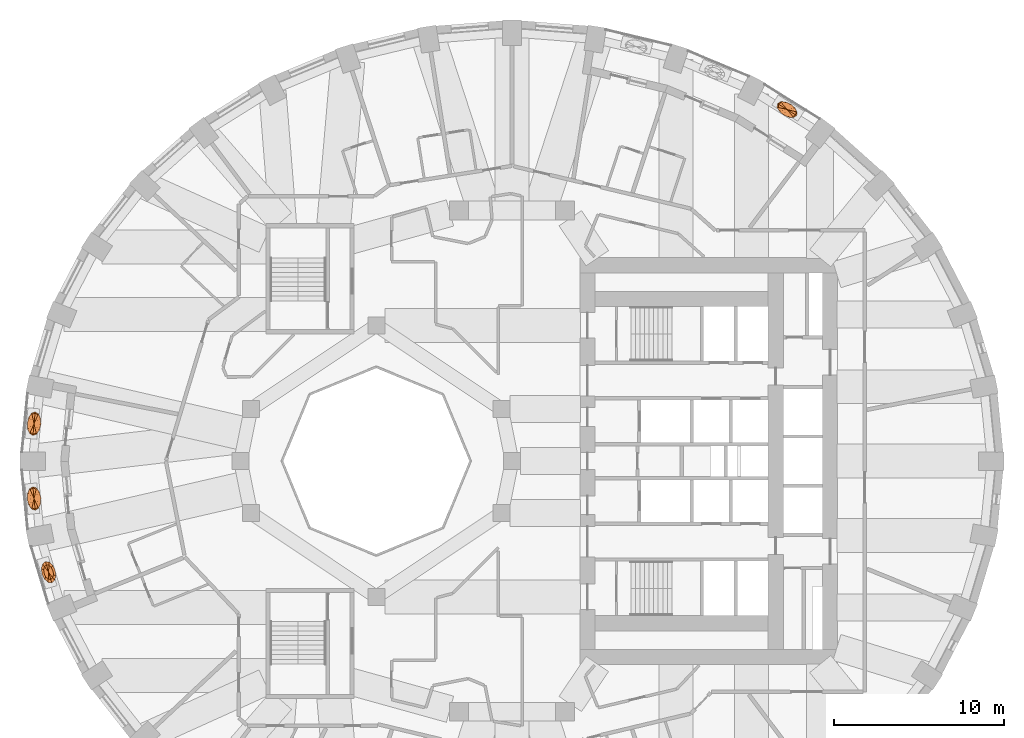
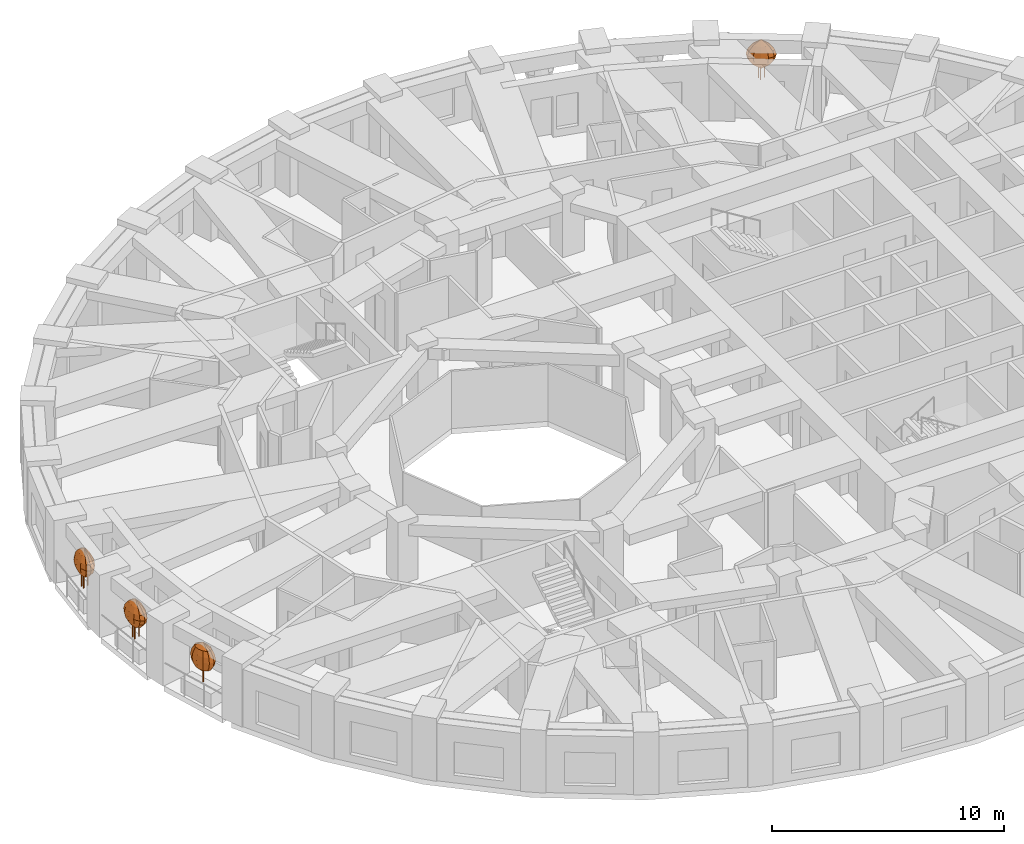
# One storey, part 13 of 14: 4 geographic elements.
"""IFC4 building model written with IfcOpenShell, lengths in metres."""

from ifc_helpers import new_model, si_unit, direction, frame, origin, place, context, subcontext, project, spatial, faceted_brep, material, constituent, constituent_set, type_object, element, save


model = new_model("IFC4")

# Units and contexts
model_context = context("Model", 3, precision=1e-05, world=origin(), true_north=direction((0.0, 1.0)))
body_context = subcontext(model_context, "Body", "Model", "MODEL_VIEW")
ifc_project = project(units=[si_unit("LENGTHUNIT", "METRE"), si_unit("AREAUNIT", "SQUARE_METRE"), si_unit("VOLUMEUNIT", "CUBIC_METRE"), si_unit("PLANEANGLEUNIT", "RADIAN"), si_unit("MASSUNIT", "GRAM", prefix="KILO")], contexts=[model_context])

# Site, building, storey
site_placement = place(None, origin())
site = spatial("IfcSite", under=ifc_project, at=site_placement, CompositionType="ELEMENT")
building_placement = place(site_placement, origin())
building = spatial("IfcBuilding", under=site, at=building_placement, Name="Taillehof Tower", CompositionType="ELEMENT")
storey_placement = place(building_placement, frame((0.0, 0.0, 28.300048828125)))
storey = spatial("IfcBuildingStorey", under=building, at=storey_placement, Name="L06", CompositionType="ELEMENT", Elevation=28.300048828125)

# Geographic elements
ifc_material_1 = material(Name="Tree bark", Category="timber")
ifc_constituent_1 = constituent(ifc_material_1, Name="Trunk", Category="timber")
ifc_material_2 = material(Name="Tree foliage")
ifc_constituent_2 = constituent(ifc_material_2, Name="Crown")
ifc_constituent_set_1 = constituent_set(constituents=[ifc_constituent_1, ifc_constituent_2], Name="Tree TR1 Columnar hornbeam")
geographic_element_type_1 = type_object("IfcGeographicElementType", Name="Tree TR1 Columnar hornbeam", PredefinedType="USERDEFINED", material=ifc_constituent_set_1)
geographic_element_1_placement = place(storey_placement, frame((-27.314697265625, -6.548583984375, 0.75)))
element("IfcGeographicElement", 1, at=geographic_element_1_placement, inside=storey, type_object=geographic_element_type_1, Name="Tree TR1 Columnar hornbeam", ObjectType="TREE", PredefinedType="USERDEFINED", context=body_context, shape_type="Brep", body=[
    faceted_brep([(0.030029296875, 0.0, 0.0), (0.021240234375, 0.021240234375, 0.0), (0.021240234375, 0.021240234375, 1.092529296875), (0.030029296875, 0.0, 1.092529296875), (0.0, 0.030029296875, 0.0), (0.0, 0.030029296875, 1.092529296875), (-0.021240234375, 0.021240234375, 0.0), (-0.021240234375, 0.021240234375, 1.092529296875), (-0.030029296875, 0.0, 0.0), (-0.030029296875, 0.0, 1.092529296875), (-0.021240234375, -0.021240234375, 0.0), (-0.021240234375, -0.021240234375, 1.092529296875), (0.0, -0.030029296875, 0.0), (0.0, -0.030029296875, 1.092529296875), (0.021240234375, -0.021240234375, 0.0), (0.021240234375, -0.021240234375, 1.092529296875)], [[[0, 1, 2, 3]], [[1, 4, 5, 2]], [[4, 6, 7, 5]], [[6, 8, 9, 7]], [[8, 10, 11, 9]], [[10, 12, 13, 11]], [[12, 14, 15, 13]], [[14, 0, 3, 15]], [[14, 12, 10, 8, 6, 4, 1, 0]], [[3, 2, 5, 7, 9, 11, 13, 15]]]),
    faceted_brep([(0.0, 0.0, 0.550048828125), (0.2412109375, -0.3291015625, 0.808349609375), (0.12744140625, -0.42529296875, 0.808349609375), (0.290283203125, -0.144775390625, 0.808349609375), (0.26171875, 0.078369140625, 0.808349609375), (0.162841796875, 0.280517578125, 0.808349609375), (0.0205078125, 0.407470703125, 0.808349609375), (-0.12744140625, 0.42529296875, 0.808349609375), (-0.2412109375, 0.3291015625, 0.808349609375), (-0.290283203125, 0.144775390625, 0.808349609375), (-0.26171875, -0.078369140625, 0.808349609375), (-0.162841796875, -0.280517578125, 0.808349609375), (-0.0205078125, -0.407470703125, 0.808349609375), (0.326416015625, -0.445068359375, 1.066650390625), (0.17236328125, -0.5751953125, 1.066650390625), (0.392822265625, -0.19580078125, 1.066650390625), (0.35400390625, 0.106201171875, 1.066650390625), (0.220458984375, 0.379638671875, 1.066650390625), (0.027587890625, 0.55126953125, 1.066650390625), (-0.17236328125, 0.5751953125, 1.066650390625), (-0.326416015625, 0.445068359375, 1.066650390625), (-0.392822265625, 0.19580078125, 1.066650390625), (-0.35400390625, -0.106201171875, 1.066650390625), (-0.220458984375, -0.379638671875, 1.066650390625), (-0.027587890625, -0.55126953125, 1.066650390625), (0.353271484375, -0.481689453125, 1.324951171875), (0.1865234375, -0.62255859375, 1.324951171875), (0.425048828125, -0.2119140625, 1.324951171875), (0.383056640625, 0.11474609375, 1.324951171875), (0.238525390625, 0.410888671875, 1.324951171875), (0.030029296875, 0.5966796875, 1.324951171875), (-0.1865234375, 0.62255859375, 1.324951171875), (-0.353271484375, 0.481689453125, 1.324951171875), (-0.425048828125, 0.2119140625, 1.324951171875), (-0.383056640625, -0.11474609375, 1.324951171875), (-0.238525390625, -0.410888671875, 1.324951171875), (-0.030029296875, -0.5966796875, 1.324951171875), (0.326416015625, -0.445068359375, 1.583251953125), (0.17236328125, -0.5751953125, 1.583251953125), (0.392822265625, -0.19580078125, 1.583251953125), (0.35400390625, 0.106201171875, 1.583251953125), (0.220458984375, 0.379638671875, 1.583251953125), (0.027587890625, 0.55126953125, 1.583251953125), (-0.17236328125, 0.5751953125, 1.583251953125), (-0.326416015625, 0.445068359375, 1.583251953125), (-0.392822265625, 0.19580078125, 1.583251953125), (-0.35400390625, -0.106201171875, 1.583251953125), (-0.220458984375, -0.379638671875, 1.583251953125), (-0.027587890625, -0.55126953125, 1.583251953125), (0.2412109375, -0.3291015625, 1.841552734375), (0.12744140625, -0.42529296875, 1.841552734375), (0.290283203125, -0.144775390625, 1.841552734375), (0.26171875, 0.078369140625, 1.841552734375), (0.162841796875, 0.280517578125, 1.841552734375), (0.0205078125, 0.407470703125, 1.841552734375), (-0.12744140625, 0.42529296875, 1.841552734375), (-0.2412109375, 0.3291015625, 1.841552734375), (-0.290283203125, 0.144775390625, 1.841552734375), (-0.26171875, -0.078369140625, 1.841552734375), (-0.162841796875, -0.280517578125, 1.841552734375), (-0.0205078125, -0.407470703125, 1.841552734375), (0.0, 0.0, 2.10009765625)], [[[0, 1, 2]], [[0, 3, 1]], [[0, 4, 3]], [[0, 5, 4]], [[0, 6, 5]], [[0, 7, 6]], [[0, 8, 7]], [[0, 9, 8]], [[0, 10, 9]], [[0, 11, 10]], [[0, 12, 11]], [[0, 2, 12]], [[2, 1, 13, 14]], [[1, 3, 15, 13]], [[3, 4, 16, 15]], [[4, 5, 17, 16]], [[5, 6, 18, 17]], [[6, 7, 19, 18]], [[7, 8, 20, 19]], [[8, 9, 21, 20]], [[9, 10, 22, 21]], [[10, 11, 23, 22]], [[11, 12, 24, 23]], [[12, 2, 14, 24]], [[14, 13, 25, 26]], [[13, 15, 27, 25]], [[15, 16, 28, 27]], [[16, 17, 29, 28]], [[17, 18, 30, 29]], [[18, 19, 31, 30]], [[19, 20, 32, 31]], [[20, 21, 33, 32]], [[21, 22, 34, 33]], [[22, 23, 35, 34]], [[23, 24, 36, 35]], [[24, 14, 26, 36]], [[26, 25, 37, 38]], [[25, 27, 39, 37]], [[27, 28, 40, 39]], [[28, 29, 41, 40]], [[29, 30, 42, 41]], [[30, 31, 43, 42]], [[31, 32, 44, 43]], [[32, 33, 45, 44]], [[33, 34, 46, 45]], [[34, 35, 47, 46]], [[35, 36, 48, 47]], [[36, 26, 38, 48]], [[38, 37, 49, 50]], [[37, 39, 51, 49]], [[39, 40, 52, 51]], [[40, 41, 53, 52]], [[41, 42, 54, 53]], [[42, 43, 55, 54]], [[43, 44, 56, 55]], [[44, 45, 57, 56]], [[45, 46, 58, 57]], [[46, 47, 59, 58]], [[47, 48, 60, 59]], [[48, 38, 50, 60]], [[50, 49, 61]], [[49, 51, 61]], [[51, 52, 61]], [[52, 53, 61]], [[53, 54, 61]], [[54, 55, 61]], [[55, 56, 61]], [[56, 57, 61]], [[57, 58, 61]], [[58, 59, 61]], [[59, 60, 61]], [[60, 50, 61]]]),
])
ifc_material_3 = material(Name="Tree bark", Category="timber")
ifc_constituent_3 = constituent(ifc_material_3, Name="Trunk", Category="timber")
ifc_material_4 = material(Name="Tree foliage")
ifc_constituent_4 = constituent(ifc_material_4, Name="Crown")
ifc_constituent_set_2 = constituent_set(constituents=[ifc_constituent_3, ifc_constituent_4], Name="Tree TR3 Multi-stem serviceberry")
geographic_element_type_2 = type_object("IfcGeographicElementType", Name="Tree TR3 Multi-stem serviceberry", PredefinedType="USERDEFINED", material=ifc_constituent_set_2)
geographic_element_2_placement = place(storey_placement, frame((16.2158203125, 20.720703125, 0.75)))
element("IfcGeographicElement", 2, at=geographic_element_2_placement, inside=storey, type_object=geographic_element_type_2, Name="Tree TR3 Multi-stem serviceberry", ObjectType="TREE", PredefinedType="USERDEFINED", context=body_context, shape_type="Brep", body=[
    faceted_brep([(0.195068359375, 0.0, 0.0), (0.186767578125, 0.0205078125, 0.0), (0.186767578125, 0.0205078125, 1.04248046875), (0.195068359375, 0.0, 1.04248046875), (0.166259765625, 0.02880859375, 0.0), (0.166259765625, 0.02880859375, 1.04248046875), (0.145751953125, 0.0205078125, 0.0), (0.145751953125, 0.0205078125, 1.04248046875), (0.137451171875, 0.0, 0.0), (0.137451171875, 0.0, 1.04248046875), (0.145751953125, -0.0205078125, 0.0), (0.145751953125, -0.0205078125, 1.04248046875), (0.166259765625, -0.02880859375, 0.0), (0.166259765625, -0.02880859375, 1.04248046875), (0.186767578125, -0.0205078125, 0.0), (0.186767578125, -0.0205078125, 1.04248046875)], [[[0, 1, 2, 3]], [[1, 4, 5, 2]], [[4, 6, 7, 5]], [[6, 8, 9, 7]], [[8, 10, 11, 9]], [[10, 12, 13, 11]], [[12, 14, 15, 13]], [[14, 0, 3, 15]], [[14, 12, 10, 8, 6, 4, 1, 0]], [[3, 2, 5, 7, 9, 11, 13, 15]]]),
    faceted_brep([(-0.05419921875, 0.082275390625, 0.0), (-0.062744140625, 0.102783203125, 0.0), (-0.062744140625, 0.102783203125, 1.04248046875), (-0.05419921875, 0.082275390625, 1.04248046875), (-0.0830078125, 0.111083984375, 0.0), (-0.0830078125, 0.111083984375, 1.04248046875), (-0.103515625, 0.102783203125, 0.0), (-0.103515625, 0.102783203125, 1.04248046875), (-0.112060546875, 0.082275390625, 0.0), (-0.112060546875, 0.082275390625, 1.04248046875), (-0.103515625, 0.061767578125, 0.0), (-0.103515625, 0.061767578125, 1.04248046875), (-0.0830078125, 0.053466796875, 0.0), (-0.0830078125, 0.053466796875, 1.04248046875), (-0.062744140625, 0.061767578125, 0.0), (-0.062744140625, 0.061767578125, 1.04248046875)], [[[0, 1, 2, 3]], [[1, 4, 5, 2]], [[4, 6, 7, 5]], [[6, 8, 9, 7]], [[8, 10, 11, 9]], [[10, 12, 13, 11]], [[12, 14, 15, 13]], [[14, 0, 3, 15]], [[14, 12, 10, 8, 6, 4, 1, 0]], [[3, 2, 5, 7, 9, 11, 13, 15]]]),
    faceted_brep([(-0.05419921875, -0.082275390625, 0.0), (-0.062744140625, -0.061767578125, 0.0), (-0.062744140625, -0.061767578125, 1.04248046875), (-0.05419921875, -0.082275390625, 1.04248046875), (-0.0830078125, -0.053466796875, 0.0), (-0.0830078125, -0.053466796875, 1.04248046875), (-0.103515625, -0.061767578125, 0.0), (-0.103515625, -0.061767578125, 1.04248046875), (-0.112060546875, -0.082275390625, 0.0), (-0.112060546875, -0.082275390625, 1.04248046875), (-0.103515625, -0.102783203125, 0.0), (-0.103515625, -0.102783203125, 1.04248046875), (-0.0830078125, -0.111083984375, 0.0), (-0.0830078125, -0.111083984375, 1.04248046875), (-0.062744140625, -0.102783203125, 0.0), (-0.062744140625, -0.102783203125, 1.04248046875)], [[[0, 1, 2, 3]], [[1, 4, 5, 2]], [[4, 6, 7, 5]], [[6, 8, 9, 7]], [[8, 10, 11, 9]], [[10, 12, 13, 11]], [[12, 14, 15, 13]], [[14, 0, 3, 15]], [[14, 12, 10, 8, 6, 4, 1, 0]], [[3, 2, 5, 7, 9, 11, 13, 15]]]),
    faceted_brep([(0.0, 0.0, 0.5), (-0.33837890625, 0.0830078125, 0.75830078125), (-0.32373046875, 0.20263671875, 0.75830078125), (-0.26220703125, -0.058837890625, 0.75830078125), (-0.11572265625, -0.18505859375, 0.75830078125), (0.0615234375, -0.261474609375, 0.75830078125), (0.222412109375, -0.26806640625, 0.75830078125), (0.32373046875, -0.20263671875, 0.75830078125), (0.33837890625, -0.0830078125, 0.75830078125), (0.26220703125, 0.058837890625, 0.75830078125), (0.11572265625, 0.18505859375, 0.75830078125), (-0.0615234375, 0.261474609375, 0.75830078125), (-0.222412109375, 0.26806640625, 0.75830078125), (-0.52490234375, 0.12890625, 1.0166015625), (-0.50244140625, 0.314453125, 1.0166015625), (-0.40673828125, -0.09130859375, 1.0166015625), (-0.1796875, -0.287109375, 1.0166015625), (0.095703125, -0.40576171875, 1.0166015625), (0.34521484375, -0.415771484375, 1.0166015625), (0.50244140625, -0.314453125, 1.0166015625), (0.52490234375, -0.12890625, 1.0166015625), (0.40673828125, 0.09130859375, 1.0166015625), (0.1796875, 0.287109375, 1.0166015625), (-0.095703125, 0.40576171875, 1.0166015625), (-0.34521484375, 0.415771484375, 1.0166015625), (-0.5888671875, 0.14453125, 1.27490234375), (-0.563720703125, 0.352783203125, 1.27490234375), (-0.45654296875, -0.1025390625, 1.27490234375), (-0.20166015625, -0.322021484375, 1.27490234375), (0.107177734375, -0.455322265625, 1.27490234375), (0.387451171875, -0.466552734375, 1.27490234375), (0.563720703125, -0.352783203125, 1.27490234375), (0.5888671875, -0.14453125, 1.27490234375), (0.45654296875, 0.1025390625, 1.27490234375), (0.20166015625, 0.322021484375, 1.27490234375), (-0.107177734375, 0.455322265625, 1.27490234375), (-0.387451171875, 0.466552734375, 1.27490234375), (-0.52490234375, 0.12890625, 1.533447265625), (-0.50244140625, 0.314453125, 1.533447265625), (-0.40673828125, -0.09130859375, 1.533447265625), (-0.1796875, -0.287109375, 1.533447265625), (0.095703125, -0.40576171875, 1.533447265625), (0.34521484375, -0.415771484375, 1.533447265625), (0.50244140625, -0.314453125, 1.533447265625), (0.52490234375, -0.12890625, 1.533447265625), (0.40673828125, 0.09130859375, 1.533447265625), (0.1796875, 0.287109375, 1.533447265625), (-0.095703125, 0.40576171875, 1.533447265625), (-0.34521484375, 0.415771484375, 1.533447265625), (-0.33837890625, 0.0830078125, 1.791748046875), (-0.32373046875, 0.20263671875, 1.791748046875), (-0.26220703125, -0.058837890625, 1.791748046875), (-0.11572265625, -0.18505859375, 1.791748046875), (0.0615234375, -0.261474609375, 1.791748046875), (0.222412109375, -0.26806640625, 1.791748046875), (0.32373046875, -0.20263671875, 1.791748046875), (0.33837890625, -0.0830078125, 1.791748046875), (0.26220703125, 0.058837890625, 1.791748046875), (0.11572265625, 0.18505859375, 1.791748046875), (-0.0615234375, 0.261474609375, 1.791748046875), (-0.222412109375, 0.26806640625, 1.791748046875), (0.0, 0.0, 2.050048828125)], [[[0, 1, 2]], [[0, 3, 1]], [[0, 4, 3]], [[0, 5, 4]], [[0, 6, 5]], [[0, 7, 6]], [[0, 8, 7]], [[0, 9, 8]], [[0, 10, 9]], [[0, 11, 10]], [[0, 12, 11]], [[0, 2, 12]], [[2, 1, 13, 14]], [[1, 3, 15, 13]], [[3, 4, 16, 15]], [[4, 5, 17, 16]], [[5, 6, 18, 17]], [[6, 7, 19, 18]], [[7, 8, 20, 19]], [[8, 9, 21, 20]], [[9, 10, 22, 21]], [[10, 11, 23, 22]], [[11, 12, 24, 23]], [[12, 2, 14, 24]], [[14, 13, 25, 26]], [[13, 15, 27, 25]], [[15, 16, 28, 27]], [[16, 17, 29, 28]], [[17, 18, 30, 29]], [[18, 19, 31, 30]], [[19, 20, 32, 31]], [[20, 21, 33, 32]], [[21, 22, 34, 33]], [[22, 23, 35, 34]], [[23, 24, 36, 35]], [[24, 14, 26, 36]], [[26, 25, 37, 38]], [[25, 27, 39, 37]], [[27, 28, 40, 39]], [[28, 29, 41, 40]], [[29, 30, 42, 41]], [[30, 31, 43, 42]], [[31, 32, 44, 43]], [[32, 33, 45, 44]], [[33, 34, 46, 45]], [[34, 35, 47, 46]], [[35, 36, 48, 47]], [[36, 26, 38, 48]], [[38, 37, 49, 50]], [[37, 39, 51, 49]], [[39, 40, 52, 51]], [[40, 41, 53, 52]], [[41, 42, 54, 53]], [[42, 43, 55, 54]], [[43, 44, 56, 55]], [[44, 45, 57, 56]], [[45, 46, 58, 57]], [[46, 47, 59, 58]], [[47, 48, 60, 59]], [[48, 38, 50, 60]], [[50, 49, 61]], [[49, 51, 61]], [[51, 52, 61]], [[52, 53, 61]], [[53, 54, 61]], [[54, 55, 61]], [[55, 56, 61]], [[56, 57, 61]], [[57, 58, 61]], [[58, 59, 61]], [[59, 60, 61]], [[60, 50, 61]]]),
])
geographic_element_3_placement = place(storey_placement, frame((-28.17138671875, 2.205322265625, 0.75)))
element("IfcGeographicElement", 3, at=geographic_element_3_placement, inside=storey, type_object=geographic_element_type_2, Name="Tree TR3 Multi-stem serviceberry", ObjectType="TREE", PredefinedType="USERDEFINED", context=body_context, shape_type="Brep", body=[
    faceted_brep([(0.203857421875, 0.0, 0.0), (0.1953125, 0.0205078125, 0.0), (0.1953125, 0.0205078125, 1.04248046875), (0.203857421875, 0.0, 1.04248046875), (0.175048828125, 0.02880859375, 0.0), (0.175048828125, 0.02880859375, 1.04248046875), (0.154541015625, 0.0205078125, 0.0), (0.154541015625, 0.0205078125, 1.04248046875), (0.146240234375, 0.0, 0.0), (0.146240234375, 0.0, 1.04248046875), (0.154541015625, -0.0205078125, 0.0), (0.154541015625, -0.0205078125, 1.04248046875), (0.175048828125, -0.02880859375, 0.0), (0.175048828125, -0.02880859375, 1.04248046875), (0.1953125, -0.0205078125, 0.0), (0.1953125, -0.0205078125, 1.04248046875)], [[[0, 1, 2, 3]], [[1, 4, 5, 2]], [[4, 6, 7, 5]], [[6, 8, 9, 7]], [[8, 10, 11, 9]], [[10, 12, 13, 11]], [[12, 14, 15, 13]], [[14, 0, 3, 15]], [[14, 12, 10, 8, 6, 4, 1, 0]], [[3, 2, 5, 7, 9, 11, 13, 15]]]),
    faceted_brep([(-0.05859375, 0.086669921875, 0.0), (-0.067138671875, 0.10693359375, 0.0), (-0.067138671875, 0.10693359375, 1.04248046875), (-0.05859375, 0.086669921875, 1.04248046875), (-0.08740234375, 0.115478515625, 0.0), (-0.08740234375, 0.115478515625, 1.04248046875), (-0.10791015625, 0.10693359375, 0.0), (-0.10791015625, 0.10693359375, 1.04248046875), (-0.116455078125, 0.086669921875, 0.0), (-0.116455078125, 0.086669921875, 1.04248046875), (-0.10791015625, 0.066162109375, 0.0), (-0.10791015625, 0.066162109375, 1.04248046875), (-0.08740234375, 0.0576171875, 0.0), (-0.08740234375, 0.0576171875, 1.04248046875), (-0.067138671875, 0.066162109375, 0.0), (-0.067138671875, 0.066162109375, 1.04248046875)], [[[0, 1, 2, 3]], [[1, 4, 5, 2]], [[4, 6, 7, 5]], [[6, 8, 9, 7]], [[8, 10, 11, 9]], [[10, 12, 13, 11]], [[12, 14, 15, 13]], [[14, 0, 3, 15]], [[14, 12, 10, 8, 6, 4, 1, 0]], [[3, 2, 5, 7, 9, 11, 13, 15]]]),
    faceted_brep([(-0.05859375, -0.086669921875, 0.0), (-0.067138671875, -0.066162109375, 0.0), (-0.067138671875, -0.066162109375, 1.04248046875), (-0.05859375, -0.086669921875, 1.04248046875), (-0.08740234375, -0.0576171875, 0.0), (-0.08740234375, -0.0576171875, 1.04248046875), (-0.10791015625, -0.066162109375, 0.0), (-0.10791015625, -0.066162109375, 1.04248046875), (-0.116455078125, -0.086669921875, 0.0), (-0.116455078125, -0.086669921875, 1.04248046875), (-0.10791015625, -0.10693359375, 0.0), (-0.10791015625, -0.10693359375, 1.04248046875), (-0.08740234375, -0.115478515625, 0.0), (-0.08740234375, -0.115478515625, 1.04248046875), (-0.067138671875, -0.10693359375, 0.0), (-0.067138671875, -0.10693359375, 1.04248046875)], [[[0, 1, 2, 3]], [[1, 4, 5, 2]], [[4, 6, 7, 5]], [[6, 8, 9, 7]], [[8, 10, 11, 9]], [[10, 12, 13, 11]], [[12, 14, 15, 13]], [[14, 0, 3, 15]], [[14, 12, 10, 8, 6, 4, 1, 0]], [[3, 2, 5, 7, 9, 11, 13, 15]]]),
    faceted_brep([(0.0, 0.0, 0.5), (0.080322265625, -0.357666015625, 0.75830078125), (-0.0390625, -0.400146484375, 0.75830078125), (0.178466796875, -0.219482421875, 0.75830078125), (0.228759765625, -0.0224609375, 0.75830078125), (0.217529296875, 0.1806640625, 0.75830078125), (0.148193359375, 0.33544921875, 0.75830078125), (0.0390625, 0.400146484375, 0.75830078125), (-0.080322265625, 0.357666015625, 0.75830078125), (-0.178466796875, 0.219482421875, 0.75830078125), (-0.228759765625, 0.0224609375, 0.75830078125), (-0.217529296875, -0.1806640625, 0.75830078125), (-0.148193359375, -0.33544921875, 0.75830078125), (0.124755859375, -0.55517578125, 1.0166015625), (-0.060791015625, -0.620849609375, 1.0166015625), (0.27685546875, -0.340576171875, 1.0166015625), (0.354736328125, -0.03466796875, 1.0166015625), (0.337646484375, 0.280517578125, 1.0166015625), (0.22998046875, 0.5205078125, 1.0166015625), (0.060791015625, 0.620849609375, 1.0166015625), (-0.124755859375, 0.55517578125, 1.0166015625), (-0.27685546875, 0.340576171875, 1.0166015625), (-0.354736328125, 0.03466796875, 1.0166015625), (-0.337646484375, -0.280517578125, 1.0166015625), (-0.22998046875, -0.5205078125, 1.0166015625), (0.139892578125, -0.622802734375, 1.27490234375), (-0.068115234375, -0.69677734375, 1.27490234375), (0.310791015625, -0.382080078125, 1.27490234375), (0.398193359375, -0.0390625, 1.27490234375), (0.37890625, 0.314697265625, 1.27490234375), (0.258056640625, 0.583740234375, 1.27490234375), (0.068115234375, 0.69677734375, 1.27490234375), (-0.139892578125, 0.622802734375, 1.27490234375), (-0.310791015625, 0.382080078125, 1.27490234375), (-0.398193359375, 0.0390625, 1.27490234375), (-0.37890625, -0.314697265625, 1.27490234375), (-0.258056640625, -0.583740234375, 1.27490234375), (0.124755859375, -0.55517578125, 1.533447265625), (-0.060791015625, -0.620849609375, 1.533447265625), (0.27685546875, -0.340576171875, 1.533447265625), (0.354736328125, -0.03466796875, 1.533447265625), (0.337646484375, 0.280517578125, 1.533447265625), (0.22998046875, 0.5205078125, 1.533447265625), (0.060791015625, 0.620849609375, 1.533447265625), (-0.124755859375, 0.55517578125, 1.533447265625), (-0.27685546875, 0.340576171875, 1.533447265625), (-0.354736328125, 0.03466796875, 1.533447265625), (-0.337646484375, -0.280517578125, 1.533447265625), (-0.22998046875, -0.5205078125, 1.533447265625), (0.080322265625, -0.357666015625, 1.791748046875), (-0.0390625, -0.400146484375, 1.791748046875), (0.178466796875, -0.219482421875, 1.791748046875), (0.228759765625, -0.0224609375, 1.791748046875), (0.217529296875, 0.1806640625, 1.791748046875), (0.148193359375, 0.33544921875, 1.791748046875), (0.0390625, 0.400146484375, 1.791748046875), (-0.080322265625, 0.357666015625, 1.791748046875), (-0.178466796875, 0.219482421875, 1.791748046875), (-0.228759765625, 0.0224609375, 1.791748046875), (-0.217529296875, -0.1806640625, 1.791748046875), (-0.148193359375, -0.33544921875, 1.791748046875), (0.0, 0.0, 2.050048828125)], [[[0, 1, 2]], [[0, 3, 1]], [[0, 4, 3]], [[0, 5, 4]], [[0, 6, 5]], [[0, 7, 6]], [[0, 8, 7]], [[0, 9, 8]], [[0, 10, 9]], [[0, 11, 10]], [[0, 12, 11]], [[0, 2, 12]], [[2, 1, 13, 14]], [[1, 3, 15, 13]], [[3, 4, 16, 15]], [[4, 5, 17, 16]], [[5, 6, 18, 17]], [[6, 7, 19, 18]], [[7, 8, 20, 19]], [[8, 9, 21, 20]], [[9, 10, 22, 21]], [[10, 11, 23, 22]], [[11, 12, 24, 23]], [[12, 2, 14, 24]], [[14, 13, 25, 26]], [[13, 15, 27, 25]], [[15, 16, 28, 27]], [[16, 17, 29, 28]], [[17, 18, 30, 29]], [[18, 19, 31, 30]], [[19, 20, 32, 31]], [[20, 21, 33, 32]], [[21, 22, 34, 33]], [[22, 23, 35, 34]], [[23, 24, 36, 35]], [[24, 14, 26, 36]], [[26, 25, 37, 38]], [[25, 27, 39, 37]], [[27, 28, 40, 39]], [[28, 29, 41, 40]], [[29, 30, 42, 41]], [[30, 31, 43, 42]], [[31, 32, 44, 43]], [[32, 33, 45, 44]], [[33, 34, 46, 45]], [[34, 35, 47, 46]], [[35, 36, 48, 47]], [[36, 26, 38, 48]], [[38, 37, 49, 50]], [[37, 39, 51, 49]], [[39, 40, 52, 51]], [[40, 41, 53, 52]], [[41, 42, 54, 53]], [[42, 43, 55, 54]], [[43, 44, 56, 55]], [[44, 45, 57, 56]], [[45, 46, 58, 57]], [[46, 47, 59, 58]], [[47, 48, 60, 59]], [[48, 38, 50, 60]], [[50, 49, 61]], [[49, 51, 61]], [[51, 52, 61]], [[52, 53, 61]], [[53, 54, 61]], [[54, 55, 61]], [[55, 56, 61]], [[56, 57, 61]], [[57, 58, 61]], [[58, 59, 61]], [[59, 60, 61]], [[60, 50, 61]]]),
])
geographic_element_4_placement = place(storey_placement, frame((-28.17138671875, -2.205322265625, 0.75)))
element("IfcGeographicElement", 4, at=geographic_element_4_placement, inside=storey, type_object=geographic_element_type_2, Name="Tree TR3 Multi-stem serviceberry", ObjectType="TREE", PredefinedType="USERDEFINED", context=body_context, shape_type="Brep", body=[
    faceted_brep([(0.203857421875, 0.0, 0.0), (0.1953125, 0.0205078125, 0.0), (0.1953125, 0.0205078125, 1.04248046875), (0.203857421875, 0.0, 1.04248046875), (0.175048828125, 0.02880859375, 0.0), (0.175048828125, 0.02880859375, 1.04248046875), (0.154541015625, 0.0205078125, 0.0), (0.154541015625, 0.0205078125, 1.04248046875), (0.146240234375, 0.0, 0.0), (0.146240234375, 0.0, 1.04248046875), (0.154541015625, -0.0205078125, 0.0), (0.154541015625, -0.0205078125, 1.04248046875), (0.175048828125, -0.02880859375, 0.0), (0.175048828125, -0.02880859375, 1.04248046875), (0.1953125, -0.0205078125, 0.0), (0.1953125, -0.0205078125, 1.04248046875)], [[[0, 1, 2, 3]], [[1, 4, 5, 2]], [[4, 6, 7, 5]], [[6, 8, 9, 7]], [[8, 10, 11, 9]], [[10, 12, 13, 11]], [[12, 14, 15, 13]], [[14, 0, 3, 15]], [[14, 12, 10, 8, 6, 4, 1, 0]], [[3, 2, 5, 7, 9, 11, 13, 15]]]),
    faceted_brep([(-0.05859375, 0.086669921875, 0.0), (-0.067138671875, 0.10693359375, 0.0), (-0.067138671875, 0.10693359375, 1.04248046875), (-0.05859375, 0.086669921875, 1.04248046875), (-0.08740234375, 0.115478515625, 0.0), (-0.08740234375, 0.115478515625, 1.04248046875), (-0.10791015625, 0.10693359375, 0.0), (-0.10791015625, 0.10693359375, 1.04248046875), (-0.116455078125, 0.086669921875, 0.0), (-0.116455078125, 0.086669921875, 1.04248046875), (-0.10791015625, 0.066162109375, 0.0), (-0.10791015625, 0.066162109375, 1.04248046875), (-0.08740234375, 0.0576171875, 0.0), (-0.08740234375, 0.0576171875, 1.04248046875), (-0.067138671875, 0.066162109375, 0.0), (-0.067138671875, 0.066162109375, 1.04248046875)], [[[0, 1, 2, 3]], [[1, 4, 5, 2]], [[4, 6, 7, 5]], [[6, 8, 9, 7]], [[8, 10, 11, 9]], [[10, 12, 13, 11]], [[12, 14, 15, 13]], [[14, 0, 3, 15]], [[14, 12, 10, 8, 6, 4, 1, 0]], [[3, 2, 5, 7, 9, 11, 13, 15]]]),
    faceted_brep([(-0.05859375, -0.086669921875, 0.0), (-0.067138671875, -0.066162109375, 0.0), (-0.067138671875, -0.066162109375, 1.04248046875), (-0.05859375, -0.086669921875, 1.04248046875), (-0.08740234375, -0.0576171875, 0.0), (-0.08740234375, -0.0576171875, 1.04248046875), (-0.10791015625, -0.066162109375, 0.0), (-0.10791015625, -0.066162109375, 1.04248046875), (-0.116455078125, -0.086669921875, 0.0), (-0.116455078125, -0.086669921875, 1.04248046875), (-0.10791015625, -0.10693359375, 0.0), (-0.10791015625, -0.10693359375, 1.04248046875), (-0.08740234375, -0.115478515625, 0.0), (-0.08740234375, -0.115478515625, 1.04248046875), (-0.067138671875, -0.10693359375, 0.0), (-0.067138671875, -0.10693359375, 1.04248046875)], [[[0, 1, 2, 3]], [[1, 4, 5, 2]], [[4, 6, 7, 5]], [[6, 8, 9, 7]], [[8, 10, 11, 9]], [[10, 12, 13, 11]], [[12, 14, 15, 13]], [[14, 0, 3, 15]], [[14, 12, 10, 8, 6, 4, 1, 0]], [[3, 2, 5, 7, 9, 11, 13, 15]]]),
    faceted_brep([(0.0, 0.0, 0.5), (0.148193359375, -0.33544921875, 0.75830078125), (0.0390625, -0.400146484375, 0.75830078125), (0.217529296875, -0.1806640625, 0.75830078125), (0.228759765625, 0.0224609375, 0.75830078125), (0.178466796875, 0.219482421875, 0.75830078125), (0.080322265625, 0.357666015625, 0.75830078125), (-0.0390625, 0.400146484375, 0.75830078125), (-0.148193359375, 0.33544921875, 0.75830078125), (-0.217529296875, 0.1806640625, 0.75830078125), (-0.228759765625, -0.0224609375, 0.75830078125), (-0.178466796875, -0.219482421875, 0.75830078125), (-0.080322265625, -0.357666015625, 0.75830078125), (0.22998046875, -0.5205078125, 1.0166015625), (0.060791015625, -0.620849609375, 1.0166015625), (0.337646484375, -0.280517578125, 1.0166015625), (0.354736328125, 0.03466796875, 1.0166015625), (0.27685546875, 0.340576171875, 1.0166015625), (0.124755859375, 0.55517578125, 1.0166015625), (-0.060791015625, 0.620849609375, 1.0166015625), (-0.22998046875, 0.5205078125, 1.0166015625), (-0.337646484375, 0.280517578125, 1.0166015625), (-0.354736328125, -0.03466796875, 1.0166015625), (-0.27685546875, -0.340576171875, 1.0166015625), (-0.124755859375, -0.55517578125, 1.0166015625), (0.258056640625, -0.583740234375, 1.27490234375), (0.068115234375, -0.69677734375, 1.27490234375), (0.37890625, -0.314697265625, 1.27490234375), (0.398193359375, 0.0390625, 1.27490234375), (0.310791015625, 0.382080078125, 1.27490234375), (0.139892578125, 0.622802734375, 1.27490234375), (-0.068115234375, 0.69677734375, 1.27490234375), (-0.258056640625, 0.583740234375, 1.27490234375), (-0.37890625, 0.314697265625, 1.27490234375), (-0.398193359375, -0.0390625, 1.27490234375), (-0.310791015625, -0.382080078125, 1.27490234375), (-0.139892578125, -0.622802734375, 1.27490234375), (0.22998046875, -0.5205078125, 1.533447265625), (0.060791015625, -0.620849609375, 1.533447265625), (0.337646484375, -0.280517578125, 1.533447265625), (0.354736328125, 0.03466796875, 1.533447265625), (0.27685546875, 0.340576171875, 1.533447265625), (0.124755859375, 0.55517578125, 1.533447265625), (-0.060791015625, 0.620849609375, 1.533447265625), (-0.22998046875, 0.5205078125, 1.533447265625), (-0.337646484375, 0.280517578125, 1.533447265625), (-0.354736328125, -0.03466796875, 1.533447265625), (-0.27685546875, -0.340576171875, 1.533447265625), (-0.124755859375, -0.55517578125, 1.533447265625), (0.148193359375, -0.33544921875, 1.791748046875), (0.0390625, -0.400146484375, 1.791748046875), (0.217529296875, -0.1806640625, 1.791748046875), (0.228759765625, 0.0224609375, 1.791748046875), (0.178466796875, 0.219482421875, 1.791748046875), (0.080322265625, 0.357666015625, 1.791748046875), (-0.0390625, 0.400146484375, 1.791748046875), (-0.148193359375, 0.33544921875, 1.791748046875), (-0.217529296875, 0.1806640625, 1.791748046875), (-0.228759765625, -0.0224609375, 1.791748046875), (-0.178466796875, -0.219482421875, 1.791748046875), (-0.080322265625, -0.357666015625, 1.791748046875), (0.0, 0.0, 2.050048828125)], [[[0, 1, 2]], [[0, 3, 1]], [[0, 4, 3]], [[0, 5, 4]], [[0, 6, 5]], [[0, 7, 6]], [[0, 8, 7]], [[0, 9, 8]], [[0, 10, 9]], [[0, 11, 10]], [[0, 12, 11]], [[0, 2, 12]], [[2, 1, 13, 14]], [[1, 3, 15, 13]], [[3, 4, 16, 15]], [[4, 5, 17, 16]], [[5, 6, 18, 17]], [[6, 7, 19, 18]], [[7, 8, 20, 19]], [[8, 9, 21, 20]], [[9, 10, 22, 21]], [[10, 11, 23, 22]], [[11, 12, 24, 23]], [[12, 2, 14, 24]], [[14, 13, 25, 26]], [[13, 15, 27, 25]], [[15, 16, 28, 27]], [[16, 17, 29, 28]], [[17, 18, 30, 29]], [[18, 19, 31, 30]], [[19, 20, 32, 31]], [[20, 21, 33, 32]], [[21, 22, 34, 33]], [[22, 23, 35, 34]], [[23, 24, 36, 35]], [[24, 14, 26, 36]], [[26, 25, 37, 38]], [[25, 27, 39, 37]], [[27, 28, 40, 39]], [[28, 29, 41, 40]], [[29, 30, 42, 41]], [[30, 31, 43, 42]], [[31, 32, 44, 43]], [[32, 33, 45, 44]], [[33, 34, 46, 45]], [[34, 35, 47, 46]], [[35, 36, 48, 47]], [[36, 26, 38, 48]], [[38, 37, 49, 50]], [[37, 39, 51, 49]], [[39, 40, 52, 51]], [[40, 41, 53, 52]], [[41, 42, 54, 53]], [[42, 43, 55, 54]], [[43, 44, 56, 55]], [[44, 45, 57, 56]], [[45, 46, 58, 57]], [[46, 47, 59, 58]], [[47, 48, 60, 59]], [[48, 38, 50, 60]], [[50, 49, 61]], [[49, 51, 61]], [[51, 52, 61]], [[52, 53, 61]], [[53, 54, 61]], [[54, 55, 61]], [[55, 56, 61]], [[56, 57, 61]], [[57, 58, 61]], [[58, 59, 61]], [[59, 60, 61]], [[60, 50, 61]]]),
])

save(model, "model.ifc")
